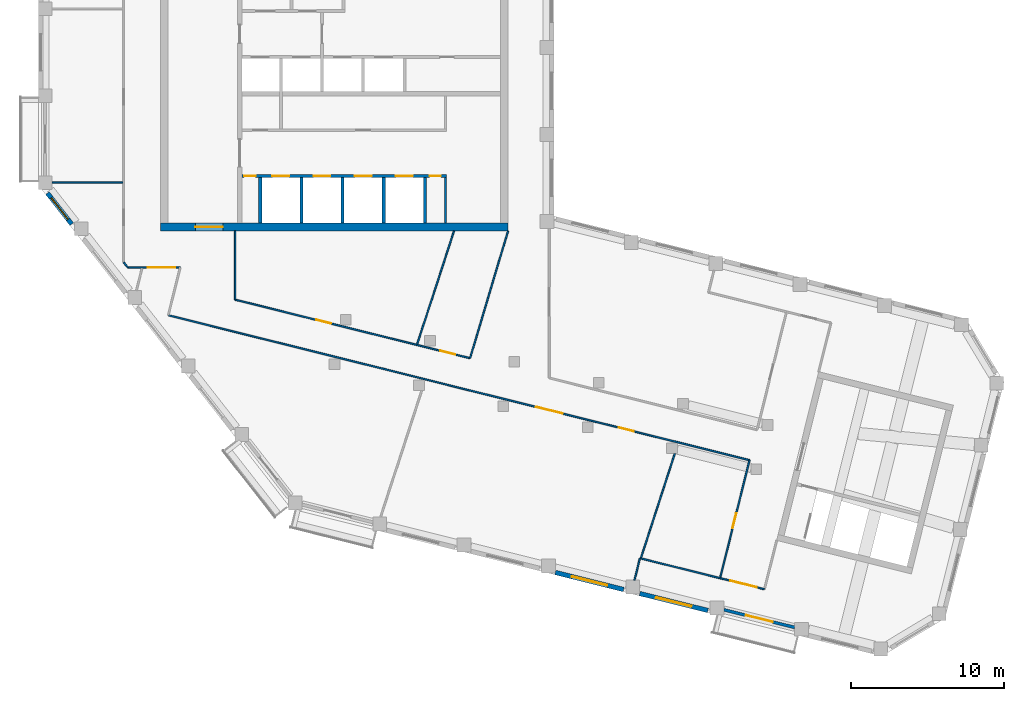
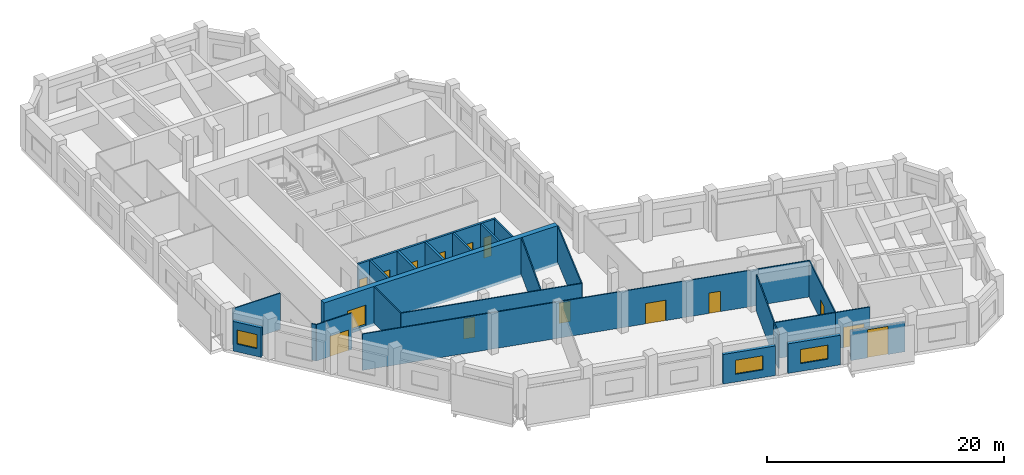
# One storey, part 3 of 8: 25 walls, 15 doors, 3 windows, 18 openings.
"""IFC4 building model written with IfcOpenShell, lengths in metres."""

from ifc_helpers import new_model, si_unit, direction, frame, frame_2d, origin, place, context, subcontext, project, spatial, rectangle, extrude, material, layer, layer_set, type_object, element, fill, save


model = new_model("IFC4")

# Units and contexts
model_context = context("Model", 3, precision=1e-05, world=origin(), true_north=direction((0.0, 1.0)))
body_context = subcontext(model_context, "Body", "Model", "MODEL_VIEW")
ifc_project = project(units=[si_unit("LENGTHUNIT", "METRE"), si_unit("AREAUNIT", "SQUARE_METRE"), si_unit("VOLUMEUNIT", "CUBIC_METRE"), si_unit("PLANEANGLEUNIT", "RADIAN"), si_unit("MASSUNIT", "GRAM", prefix="KILO")], contexts=[model_context])

# Site, building, storey
site_placement = place(None, origin())
site = spatial("IfcSite", under=ifc_project, at=site_placement, CompositionType="ELEMENT")
building_placement = place(site_placement, origin())
building = spatial("IfcBuilding", under=site, at=building_placement, Name="Meshkara Civic Tower", CompositionType="ELEMENT")
storey_placement = place(building_placement, frame((0.0, 0.0, 396.0)))
storey = spatial("IfcBuildingStorey", under=building, at=storey_placement, Name="L91", CompositionType="ELEMENT", Elevation=396.0)

# Wall
ifc_material_1 = material(Name="Blockwork", Category="masonry")
ifc_layer_1 = layer(ifc_material_1, 0.14990234375)
ifc_layer_set_1 = layer_set([ifc_layer_1], Name="Core partition 150")
wall_type_1 = type_object("IfcWallType", Name="Core partition 150", PredefinedType="PARTITIONING", material=ifc_layer_set_1)
wall_1_placement = place(storey_placement, frame((26.699951171875, 14.60009765625, 0.0), z_axis=(0.0, 0.0, 1.0), x_axis=(0.0, 1.0, 0.0)))
element("IfcWall", 1, at=wall_1_placement, inside=storey, type_object=wall_type_1, Name="L91-C025", PredefinedType="PARTITIONING", context=body_context, shape_type="SweptSolid", body=[
    extrude(rectangle(XDim=3.0, YDim=0.14990234375, at=frame_2d((1.5, 0.0))), origin(), (0.0, 0.0, 1.0), 3.75),
])

# Wall, opening, door
ifc_material_2 = material(Name="Concrete C50", Category="concrete")
ifc_layer_2 = layer(ifc_material_2, 0.5)
ifc_layer_set_2 = layer_set([ifc_layer_2], Name="Core ring wall 500 C50")
wall_type_2 = type_object("IfcWallType", Name="Core ring wall 500 C50", PredefinedType="SHEAR", material=ifc_layer_set_2)
wall_2_placement = place(storey_placement, frame((8.0, 14.35009765625, -0.300048828125), z_axis=(0.0, 0.0, 1.0), x_axis=(1.0, 0.0, 0.0)))
wall_2 = element("IfcWall", 2, at=wall_2_placement, inside=storey, type_object=wall_type_2, Name="L91-C001", PredefinedType="SHEAR", context=body_context, shape_type="SweptSolid", body=[
    extrude(rectangle(XDim=22.800048828125, YDim=0.5, at=frame_2d((11.39990234375, 0.0))), origin(), (0.0, 0.0, 1.0), 4.050048828125),
])
opening_1_placement = place(wall_2_placement, frame((2.300048828125, 0.0, 0.300048828125)))
opening_1 = element("IfcOpeningElement", 3, at=opening_1_placement, cuts=wall_2, Name="Opening L91-K023", PredefinedType="OPENING", context=body_context, shape_type="SweptSolid", body=[
    extrude(rectangle(XDim=1.800048828125, YDim=2.10009765625, at=frame_2d((0.89990234375, 1.050048828125))), frame((0.0, 0.260009765625, 0.0), z_axis=(0.0, -1.0, 0.0), x_axis=(1.0, 0.0, 0.0)), (0.0, 0.0, 1.0), 0.52001953125),
])
ifc_material_3 = material(Name="Fire-rated door leaf in steel frame", Category="steel")
door_type_1 = type_object("IfcDoorType", Name="Core double door 1800 EI 60", OperationType="DOUBLE_DOOR_SINGLE_SWING", PredefinedType="DOOR", material=ifc_material_3)
door_1_placement = place(opening_1_placement, origin())
door_1 = element("IfcDoor", 4, at=door_1_placement, inside=storey, type_object=door_type_1, Name="L91-K023", OperationType="DOUBLE_DOOR_SINGLE_SWING", OverallHeight=2.10009765625, OverallWidth=1.800048828125, PredefinedType="DOOR", context=body_context, shape_type="SweptSolid", body=[
    extrude(rectangle(XDim=1.800048828125, YDim=2.10009765625, at=frame_2d((0.89990234375, 1.050048828125))), frame((0.0, 0.02490234375, 0.0), z_axis=(0.0, -1.0, 0.0), x_axis=(1.0, 0.0, 0.0)), (0.0, 0.0, 1.0), 0.050048828125),
])
fill(opening_1, door_1)

# Wall
ifc_material_4 = material(Name="Corridor wall 100")
ifc_layer_3 = layer(ifc_material_4, 0.10009765625)
ifc_layer_set_3 = layer_set([ifc_layer_3], Name="Corridor wall 100")
wall_type_3 = type_object("IfcWallType", Name="Corridor wall 100", PredefinedType="PARTITIONING", material=ifc_layer_set_3)
wall_3_placement = place(storey_placement, frame((5.60009765625, 12.0439453125, 0.0), z_axis=(0.0, 0.0, 1.0), x_axis=(0.614328236968, -0.789050579661, 0.0)))
element("IfcWall", 5, at=wall_3_placement, inside=storey, type_object=wall_type_3, Name="L91-W003", PredefinedType="PARTITIONING", context=body_context, shape_type="SweptSolid", body=[
    extrude(rectangle(XDim=0.43603515625, YDim=0.10009765625, at=frame_2d((0.218017578125, 0.0))), origin(), (0.0, 0.0, 1.0), 3.75),
])

# Wall, opening, door
wall_4_placement = place(storey_placement, frame((5.867919921875, 11.699951171875, 0.0), z_axis=(0.0, 0.0, 1.0), x_axis=(1.0, 0.0, 0.0)))
wall_4 = element("IfcWall", 6, at=wall_4_placement, inside=storey, type_object=wall_type_3, Name="L91-W006", PredefinedType="PARTITIONING", context=body_context, shape_type="SweptSolid", body=[
    extrude(rectangle(XDim=3.43310546875, YDim=0.10009765625, at=frame_2d((1.716552734375, 0.0))), origin(), (0.0, 0.0, 1.0), 3.75),
])
opening_2_placement = place(wall_4_placement, frame((1.30908203125, 0.0, 0.0)))
opening_2 = element("IfcOpeningElement", 7, at=opening_2_placement, cuts=wall_4, Name="Opening L91-D006", PredefinedType="OPENING", context=body_context, shape_type="SweptSolid", body=[
    extrude(rectangle(XDim=1.800048828125, YDim=2.10009765625, at=frame_2d((0.89990234375, 1.050048828125))), frame((0.0, 0.06005859375, 0.0), z_axis=(0.0, -1.0, 0.0), x_axis=(1.0, 0.0, 0.0)), (0.0, 0.0, 1.0), 0.1201171875),
])
ifc_material_5 = material(Name="Door pair 1800 x 2100")
door_type_2 = type_object("IfcDoorType", Name="Door pair 1800 x 2100", OperationType="SINGLE_SWING_LEFT", PredefinedType="DOOR", material=ifc_material_5)
door_2_placement = place(opening_2_placement, origin())
door_2 = element("IfcDoor", 8, at=door_2_placement, inside=storey, type_object=door_type_2, Name="L91-D006", OperationType="DOUBLE_DOOR_SINGLE_SWING", OverallHeight=2.10009765625, OverallWidth=1.800048828125, PredefinedType="DOOR", context=body_context, shape_type="SweptSolid", body=[
    extrude(rectangle(XDim=1.800048828125, YDim=2.10009765625, at=frame_2d((0.89990234375, 1.050048828125))), frame((0.0, 0.02490234375, 0.0), z_axis=(0.0, -1.0, 0.0), x_axis=(1.0, 0.0, 0.0)), (0.0, 0.0, 1.0), 0.050048828125),
])
fill(opening_2, door_2)

# Wall, openings, doors
wall_5_placement = place(storey_placement, frame((8.52099609375, 8.56689453125, 0.0), z_axis=(0.0, 0.0, 1.0), x_axis=(0.970298072542, -0.241912485047, 0.0)))
wall_5 = element("IfcWall", 9, at=wall_5_placement, inside=storey, type_object=wall_type_3, Name="L91-W007", PredefinedType="PARTITIONING", context=body_context, shape_type="SweptSolid", body=[
    extrude(rectangle(XDim=39.2744140625, YDim=0.10009765625, at=frame_2d((19.63720703125, 0.0))), origin(), (0.0, 0.0, 1.0), 3.75),
])
opening_3_placement = place(wall_5_placement, frame((24.847900390625, 0.0, 0.0)))
opening_3 = element("IfcOpeningElement", 10, at=opening_3_placement, cuts=wall_5, Name="Opening L91-D003", PredefinedType="OPENING", context=body_context, shape_type="SweptSolid", body=[
    extrude(rectangle(XDim=1.800048828125, YDim=2.10009765625, at=frame_2d((0.89990234375, 1.050048828125))), frame((0.0, 0.06005859375, 0.0), z_axis=(0.0, -1.0, 0.0), x_axis=(1.0, 0.0, 0.0)), (0.0, 0.0, 1.0), 0.1201171875),
])
opening_4_placement = place(wall_5_placement, frame((30.447998046875, 0.0, 0.0)))
opening_4 = element("IfcOpeningElement", 11, at=opening_4_placement, cuts=wall_5, Name="Opening L91-D004", PredefinedType="OPENING", context=body_context, shape_type="SweptSolid", body=[
    extrude(rectangle(XDim=1.0, YDim=2.10009765625, at=frame_2d((0.5, 1.050048828125))), frame((0.0, 0.06005859375, 0.0), z_axis=(0.0, -1.0, 0.0), x_axis=(1.0, 0.0, 0.0)), (0.0, 0.0, 1.0), 0.1201171875),
])
ifc_material_6 = material(Name="Door 1000 x 2100")
door_type_3 = type_object("IfcDoorType", Name="Door 1000 x 2100", OperationType="SINGLE_SWING_LEFT", PredefinedType="DOOR", material=ifc_material_6)
door_3_placement = place(opening_4_placement, origin())
door_3 = element("IfcDoor", 12, at=door_3_placement, inside=storey, type_object=door_type_3, Name="L91-D004", OperationType="SINGLE_SWING_LEFT", OverallHeight=2.10009765625, OverallWidth=1.0, PredefinedType="DOOR", context=body_context, shape_type="SweptSolid", body=[
    extrude(rectangle(XDim=1.0, YDim=2.10009765625, at=frame_2d((0.5, 1.050048828125))), frame((0.0, 0.02490234375, 0.0), z_axis=(0.0, -1.0, 0.0), x_axis=(1.0, 0.0, 0.0)), (0.0, 0.0, 1.0), 0.050048828125),
])
fill(opening_4, door_3)
door_4_placement = place(opening_3_placement, origin())
door_4 = element("IfcDoor", 13, at=door_4_placement, inside=storey, type_object=door_type_2, Name="L91-D003", OperationType="DOUBLE_DOOR_SINGLE_SWING", OverallHeight=2.10009765625, OverallWidth=1.800048828125, PredefinedType="DOOR", context=body_context, shape_type="SweptSolid", body=[
    extrude(rectangle(XDim=1.800048828125, YDim=2.10009765625, at=frame_2d((0.89990234375, 1.050048828125))), frame((0.0, 0.02490234375, 0.0), z_axis=(0.0, -1.0, 0.0), x_axis=(1.0, 0.0, 0.0)), (0.0, 0.0, 1.0), 0.050048828125),
])
fill(opening_3, door_4)

wall_6_placement = place(storey_placement, frame((12.89990234375, 9.590087890625, 0.0), z_axis=(0.0, 0.0, 1.0), x_axis=(0.970296971371, -0.241916901741, 0.0)))
wall_6 = element("IfcWall", 14, at=wall_6_placement, inside=storey, type_object=wall_type_3, Name="L91-W009", PredefinedType="PARTITIONING", context=body_context, shape_type="SweptSolid", body=[
    extrude(rectangle(XDim=15.877685546875, YDim=0.10009765625, at=frame_2d((7.93896484375, 0.0))), origin(), (0.0, 0.0, 1.0), 3.75),
])
opening_5_placement = place(wall_6_placement, frame((5.47998046875, 0.0, 0.0)))
opening_5 = element("IfcOpeningElement", 15, at=opening_5_placement, cuts=wall_6, Name="Opening L91-D007", PredefinedType="OPENING", context=body_context, shape_type="SweptSolid", body=[
    extrude(rectangle(XDim=1.0, YDim=2.10009765625, at=frame_2d((0.5, 1.050048828125))), frame((0.0, 0.06005859375, 0.0), z_axis=(0.0, -1.0, 0.0), x_axis=(1.0, 0.0, 0.0)), (0.0, 0.0, 1.0), 0.1201171875),
])
opening_6_placement = place(wall_6_placement, frame((13.868896484375, 0.0, 0.0)))
opening_6 = element("IfcOpeningElement", 16, at=opening_6_placement, cuts=wall_6, Name="Opening L91-D008", PredefinedType="OPENING", context=body_context, shape_type="SweptSolid", body=[
    extrude(rectangle(XDim=1.0, YDim=2.10009765625, at=frame_2d((0.5, 1.050048828125))), frame((0.0, 0.06005859375, 0.0), z_axis=(0.0, -1.0, 0.0), x_axis=(1.0, 0.0, 0.0)), (0.0, 0.0, 1.0), 0.1201171875),
])
door_5_placement = place(opening_5_placement, origin())
door_5 = element("IfcDoor", 17, at=door_5_placement, inside=storey, type_object=door_type_3, Name="L91-D007", OperationType="SINGLE_SWING_LEFT", OverallHeight=2.10009765625, OverallWidth=1.0, PredefinedType="DOOR", context=body_context, shape_type="SweptSolid", body=[
    extrude(rectangle(XDim=1.0, YDim=2.10009765625, at=frame_2d((0.5, 1.050048828125))), frame((0.0, 0.02490234375, 0.0), z_axis=(0.0, -1.0, 0.0), x_axis=(1.0, 0.0, 0.0)), (0.0, 0.0, 1.0), 0.050048828125),
])
fill(opening_5, door_5)
door_6_placement = place(opening_6_placement, origin())
door_6 = element("IfcDoor", 18, at=door_6_placement, inside=storey, type_object=door_type_3, Name="L91-D008", OperationType="SINGLE_SWING_RIGHT", OverallHeight=2.10009765625, OverallWidth=1.0, PredefinedType="DOOR", context=body_context, shape_type="SweptSolid", body=[
    extrude(rectangle(XDim=1.0, YDim=2.10009765625, at=frame_2d((0.5, 1.050048828125))), frame((0.0, 0.02490234375, 0.0), z_axis=(0.0, -1.0, 0.0), x_axis=(1.0, 0.0, 0.0)), (0.0, 0.0, 1.0), 0.050048828125),
])
fill(opening_6, door_6)

# Walls
wall_7_placement = place(storey_placement, frame((12.89990234375, 9.590087890625, 0.0), z_axis=(0.0, 0.0, 1.0), x_axis=(0.0, 1.0, 0.0)))
element("IfcWall", 19, at=wall_7_placement, inside=storey, type_object=wall_type_3, Name="L91-W010", PredefinedType="PARTITIONING", context=body_context, shape_type="SweptSolid", body=[
    extrude(rectangle(XDim=4.510009765625, YDim=0.10009765625, at=frame_2d((2.2548828125, 0.0))), origin(), (0.0, 0.0, 1.0), 3.75),
])
wall_8_placement = place(storey_placement, frame((30.800048828125, 14.10009765625, 0.0), z_axis=(0.0, 0.0, 1.0), x_axis=(-0.286170650389, -0.958178667502, 0.0)))
element("IfcWall", 20, at=wall_8_placement, inside=storey, type_object=wall_type_3, Name="L91-W013", PredefinedType="PARTITIONING", context=body_context, shape_type="SweptSolid", body=[
    extrude(rectangle(XDim=8.715576171875, YDim=0.10009765625, at=frame_2d((4.35791015625, 0.0))), origin(), (0.0, 0.0, 1.0), 3.75),
])

# Wall, opening, door
wall_9_placement = place(storey_placement, frame((44.699951171875, -8.6708984375, 0.0), z_axis=(0.0, 0.0, 1.0), x_axis=(0.970276376031, -0.241999491975, 0.0)))
wall_9 = element("IfcWall", 21, at=wall_9_placement, inside=storey, type_object=wall_type_3, Name="L91-W016", PredefinedType="PARTITIONING", context=body_context, shape_type="SweptSolid", body=[
    extrude(rectangle(XDim=3.000244140625, YDim=0.10009765625, at=frame_2d((1.5, 0.0))), origin(), (0.0, 0.0, 1.0), 3.75),
])
opening_7_placement = place(wall_9_placement, frame((0.679931640625, 0.0, 0.0)))
opening_7 = element("IfcOpeningElement", 22, at=opening_7_placement, cuts=wall_9, Name="Opening L91-D001", PredefinedType="OPENING", context=body_context, shape_type="SweptSolid", body=[
    extrude(rectangle(XDim=1.800048828125, YDim=2.10009765625, at=frame_2d((0.89990234375, 1.050048828125))), frame((0.0, 0.06005859375, 0.0), z_axis=(0.0, -1.0, 0.0), x_axis=(1.0, 0.0, 0.0)), (0.0, 0.0, 1.0), 0.1201171875),
])
door_7_placement = place(opening_7_placement, origin())
door_7 = element("IfcDoor", 23, at=door_7_placement, inside=storey, type_object=door_type_2, Name="L91-D001", OperationType="DOUBLE_DOOR_SINGLE_SWING", OverallHeight=2.10009765625, OverallWidth=1.800048828125, PredefinedType="DOOR", context=body_context, shape_type="SweptSolid", body=[
    extrude(rectangle(XDim=1.800048828125, YDim=2.10009765625, at=frame_2d((0.89990234375, 1.050048828125))), frame((0.0, 0.02490234375, 0.0), z_axis=(0.0, -1.0, 0.0), x_axis=(1.0, 0.0, 0.0)), (0.0, 0.0, 1.0), 0.050048828125),
])
fill(opening_7, door_7)

wall_10_placement = place(storey_placement, frame((46.62890625, -0.93408203125, 0.0), z_axis=(0.0, 0.0, 1.0), x_axis=(-0.241916003183, -0.970297195401, 0.0)))
wall_10 = element("IfcWall", 24, at=wall_10_placement, inside=storey, type_object=wall_type_3, Name="L91-W017", PredefinedType="PARTITIONING", context=body_context, shape_type="SweptSolid", body=[
    extrude(rectangle(XDim=7.9736328125, YDim=0.10009765625, at=frame_2d((3.98681640625, 0.0))), origin(), (0.0, 0.0, 1.0), 3.75),
])
opening_8_placement = place(wall_10_placement, frame((3.580078125, 0.0, 0.0)))
opening_8 = element("IfcOpeningElement", 25, at=opening_8_placement, cuts=wall_10, Name="Opening L91-D002", PredefinedType="OPENING", context=body_context, shape_type="SweptSolid", body=[
    extrude(rectangle(XDim=1.0, YDim=2.10009765625, at=frame_2d((0.5, 1.050048828125))), frame((0.0, 0.06005859375, 0.0), z_axis=(0.0, -1.0, 0.0), x_axis=(1.0, 0.0, 0.0)), (0.0, 0.0, 1.0), 0.1201171875),
])
door_8_placement = place(opening_8_placement, origin())
door_8 = element("IfcDoor", 26, at=door_8_placement, inside=storey, type_object=door_type_3, Name="L91-D002", OperationType="SINGLE_SWING_LEFT", OverallHeight=2.10009765625, OverallWidth=1.0, PredefinedType="DOOR", context=body_context, shape_type="SweptSolid", body=[
    extrude(rectangle(XDim=1.0, YDim=2.10009765625, at=frame_2d((0.5, 1.050048828125))), frame((0.0, 0.02490234375, 0.0), z_axis=(0.0, -1.0, 0.0), x_axis=(1.0, 0.0, 0.0)), (0.0, 0.0, 1.0), 0.050048828125),
])
fill(opening_8, door_8)

# Wall, opening, window
ifc_material_7 = material(Name="Insulated infill panel with bronze anodised aluminium cladding", Category="aluminium")
ifc_layer_4 = layer(ifc_material_7, 0.300048828125)
ifc_layer_set_4 = layer_set([ifc_layer_4], Name="EXTERNAL INFILL WALL 300")
wall_type_4 = type_object("IfcWallType", Name="EXTERNAL INFILL WALL 300", PredefinedType="SOLIDWALL", material=ifc_layer_set_4)
wall_11_placement = place(storey_placement, frame((0.60205078125, 16.572998046875, 0.0), z_axis=(0.0, 0.0, 1.0), x_axis=(0.61568999437, -0.787988471256, 0.0)))
wall_11 = element("IfcWall", 27, at=wall_11_placement, inside=storey, type_object=wall_type_4, Name="External wall", PredefinedType="SOLIDWALL", context=body_context, shape_type="SweptSolid", body=[
    extrude(rectangle(XDim=2.577392578125, YDim=0.300048828125, at=frame_2d((1.28857421875, 0.0))), origin(), (0.0, 0.0, 1.0), 3.050048828125),
])
opening_9_placement = place(wall_11_placement, frame((0.387939453125, 0.0, 0.800048828125)))
opening_9 = element("IfcOpeningElement", 28, at=opening_9_placement, cuts=wall_11, Name="Opening W10", PredefinedType="OPENING", context=body_context, shape_type="SweptSolid", body=[
    extrude(rectangle(XDim=1.800048828125, YDim=1.449951171875, at=frame_2d((0.89990234375, 0.72509765625))), frame((0.0, 0.159912109375, 0.0), z_axis=(0.0, -1.0, 0.0), x_axis=(1.0, 0.0, 0.0)), (0.0, 0.0, 1.0), 0.320068359375),
])
ifc_material_8 = material(Name="Tinted double glazing", Category="glass")
window_type_1 = type_object("IfcWindowType", Name="WINDOW 1800x1450", PartitioningType="DOUBLE_PANEL_VERTICAL", PredefinedType="WINDOW", material=ifc_material_8)
window_1_placement = place(opening_9_placement, origin())
window_1 = element("IfcWindow", 29, at=window_1_placement, inside=storey, type_object=window_type_1, Name="Window", OverallHeight=1.449951171875, OverallWidth=1.800048828125, PartitioningType="DOUBLE_PANEL_VERTICAL", PredefinedType="WINDOW", context=body_context, shape_type="SweptSolid", body=[
    extrude(rectangle(XDim=1.800048828125, YDim=1.449951171875, at=frame_2d((0.89990234375, 0.72509765625))), frame((0.0, 0.030029296875, 0.0), z_axis=(0.0, -1.0, 0.0), x_axis=(1.0, 0.0, 0.0)), (0.0, 0.0, 1.0), 0.06005859375),
])
fill(opening_9, window_1)

wall_12_placement = place(storey_placement, frame((33.89990234375, -8.298095703125, 0.0), z_axis=(0.0, 0.0, 1.0), x_axis=(0.970298093093, -0.241912402618, 0.0)))
wall_12 = element("IfcWall", 30, at=wall_12_placement, inside=storey, type_object=wall_type_4, Name="External wall", PredefinedType="SOLIDWALL", context=body_context, shape_type="SweptSolid", body=[
    extrude(rectangle(XDim=4.609130859375, YDim=0.300048828125, at=frame_2d((2.3046875, 0.0))), origin(), (0.0, 0.0, 1.0), 3.050048828125),
])
opening_10_placement = place(wall_12_placement, frame((1.10498046875, 0.0, 0.800048828125)))
opening_10 = element("IfcOpeningElement", 31, at=opening_10_placement, cuts=wall_12, Name="Opening W8", PredefinedType="OPENING", context=body_context, shape_type="SweptSolid", body=[
    extrude(rectangle(XDim=2.39990234375, YDim=1.449951171875, at=frame_2d((1.199951171875, 0.72509765625))), frame((0.0, 0.159912109375, 0.0), z_axis=(0.0, -1.0, 0.0), x_axis=(1.0, 0.0, 0.0)), (0.0, 0.0, 1.0), 0.320068359375),
])
ifc_material_9 = material(Name="Tinted double glazing", Category="glass")
window_type_2 = type_object("IfcWindowType", Name="WINDOW 2400x1450", PartitioningType="DOUBLE_PANEL_VERTICAL", PredefinedType="WINDOW", material=ifc_material_9)
window_2_placement = place(opening_10_placement, origin())
window_2 = element("IfcWindow", 32, at=window_2_placement, inside=storey, type_object=window_type_2, Name="Window", OverallHeight=1.449951171875, OverallWidth=2.39990234375, PartitioningType="DOUBLE_PANEL_VERTICAL", PredefinedType="WINDOW", context=body_context, shape_type="SweptSolid", body=[
    extrude(rectangle(XDim=2.39990234375, YDim=1.449951171875, at=frame_2d((1.199951171875, 0.72509765625))), frame((0.0, 0.030029296875, 0.0), z_axis=(0.0, -1.0, 0.0), x_axis=(1.0, 0.0, 0.0)), (0.0, 0.0, 1.0), 0.06005859375),
])
fill(opening_10, window_2)

wall_13_placement = place(storey_placement, frame((39.430908203125, -9.677001953125, 0.0), z_axis=(0.0, 0.0, 1.0), x_axis=(0.970285689791, -0.241962146187, 0.0)))
wall_13 = element("IfcWall", 33, at=wall_13_placement, inside=storey, type_object=wall_type_4, Name="External wall", PredefinedType="SOLIDWALL", context=body_context, shape_type="SweptSolid", body=[
    extrude(rectangle(XDim=4.608154296875, YDim=0.300048828125, at=frame_2d((2.30419921875, 0.0))), origin(), (0.0, 0.0, 1.0), 3.050048828125),
])
opening_11_placement = place(wall_13_placement, frame((1.10400390625, 0.0, 0.800048828125)))
opening_11 = element("IfcOpeningElement", 34, at=opening_11_placement, cuts=wall_13, Name="Opening W8", PredefinedType="OPENING", context=body_context, shape_type="SweptSolid", body=[
    extrude(rectangle(XDim=2.39990234375, YDim=1.449951171875, at=frame_2d((1.199951171875, 0.72509765625))), frame((0.0, 0.159912109375, 0.0), z_axis=(0.0, -1.0, 0.0), x_axis=(1.0, 0.0, 0.0)), (0.0, 0.0, 1.0), 0.320068359375),
])
window_3_placement = place(opening_11_placement, origin())
window_3 = element("IfcWindow", 35, at=window_3_placement, inside=storey, type_object=window_type_2, Name="Window", OverallHeight=1.449951171875, OverallWidth=2.39990234375, PartitioningType="DOUBLE_PANEL_VERTICAL", PredefinedType="WINDOW", context=body_context, shape_type="SweptSolid", body=[
    extrude(rectangle(XDim=2.39990234375, YDim=1.449951171875, at=frame_2d((1.199951171875, 0.72509765625))), frame((0.0, 0.030029296875, 0.0), z_axis=(0.0, -1.0, 0.0), x_axis=(1.0, 0.0, 0.0)), (0.0, 0.0, 1.0), 0.06005859375),
])
fill(opening_11, window_3)

# Wall, opening, door
ifc_material_10 = material(Name="Insulated infill panel with bronze anodised aluminium cladding", Category="aluminium")
ifc_layer_5 = layer(ifc_material_10, 0.199951171875)
ifc_layer_set_5 = layer_set([ifc_layer_5], Name="LOGGIA BACK WALL 200")
wall_type_5 = type_object("IfcWallType", Name="LOGGIA BACK WALL 200", PredefinedType="SOLIDWALL", material=ifc_layer_set_5)
wall_14_placement = place(storey_placement, frame((44.9541015625, -10.7451171875, 0.0), z_axis=(0.0, 0.0, 1.0), x_axis=(0.970334783127, -0.241765193223, 0.0)))
wall_14 = element("IfcWall", 36, at=wall_14_placement, inside=storey, type_object=wall_type_5, Name="Loggia wall", PredefinedType="SOLIDWALL", context=body_context, shape_type="SweptSolid", body=[
    extrude(rectangle(XDim=4.7724609375, YDim=0.199951171875, at=frame_2d((2.38623046875, 0.0))), origin(), (0.0, 0.0, 1.0), 3.050048828125),
])
opening_12_placement = place(wall_14_placement, frame((1.486083984375, 0.0, 0.0)))
opening_12 = element("IfcOpeningElement", 37, at=opening_12_placement, cuts=wall_14, Name="Opening L91-L004", PredefinedType="OPENING", context=body_context, shape_type="SweptSolid", body=[
    extrude(rectangle(XDim=1.800048828125, YDim=2.89990234375, at=frame_2d((0.89990234375, 1.449951171875))), frame((0.0, 0.10986328125, 0.0), z_axis=(0.0, -1.0, 0.0), x_axis=(1.0, 0.0, 0.0)), (0.0, 0.0, 1.0), 0.219970703125),
])
ifc_material_11 = material(Name="Tinted double glazing", Category="glass")
door_type_4 = type_object("IfcDoorType", Name="LOGGIA DOOR 1800x2900", OperationType="DOUBLE_DOOR_SINGLE_SWING", PredefinedType="DOOR", material=ifc_material_11)
door_9_placement = place(opening_12_placement, origin())
door_9 = element("IfcDoor", 38, at=door_9_placement, inside=storey, type_object=door_type_4, Name="L91-L004", OperationType="DOUBLE_DOOR_SINGLE_SWING", OverallHeight=2.89990234375, OverallWidth=1.800048828125, PredefinedType="DOOR", context=body_context, shape_type="SweptSolid", body=[
    extrude(rectangle(XDim=1.800048828125, YDim=2.89990234375, at=frame_2d((0.89990234375, 1.449951171875))), frame((0.0, 0.02490234375, 0.0), z_axis=(0.0, -1.0, 0.0), x_axis=(1.0, 0.0, 0.0)), (0.0, 0.0, 1.0), 0.050048828125),
])
fill(opening_12, door_9)

# Walls
ifc_material_12 = material(Name="Partition 100")
ifc_layer_6 = layer(ifc_material_12, 0.10009765625)
ifc_layer_set_6 = layer_set([ifc_layer_6], Name="Partition 100")
wall_type_6 = type_object("IfcWallType", Name="Partition 100", PredefinedType="PARTITIONING", material=ifc_layer_set_6)
wall_15_placement = place(storey_placement, frame((5.550048828125, 17.2548828125, 0.0), z_axis=(0.0, 0.0, 1.0), x_axis=(-1.0, 0.0, 0.0)))
element("IfcWall", 39, at=wall_15_placement, inside=storey, type_object=wall_type_6, Name="L91-W025", PredefinedType="PARTITIONING", context=body_context, shape_type="SweptSolid", body=[
    extrude(rectangle(XDim=4.650146484375, YDim=0.10009765625, at=frame_2d((2.3251953125, 0.0))), origin(), (0.0, 0.0, 1.0), 3.75),
])
wall_16_placement = place(storey_placement, frame((24.841064453125, 6.66796875, 0.0), z_axis=(0.0, 0.0, 1.0), x_axis=(0.308898149954, 0.951095122979, 0.0)))
element("IfcWall", 40, at=wall_16_placement, inside=storey, type_object=wall_type_6, Name="L91-W029", PredefinedType="PARTITIONING", context=body_context, shape_type="SweptSolid", body=[
    extrude(rectangle(XDim=7.814208984375, YDim=0.10009765625, at=frame_2d((3.9072265625, 0.0))), origin(), (0.0, 0.0, 1.0), 3.75),
])
wall_17_placement = place(storey_placement, frame((39.0859375, -8.803955078125, 0.0), z_axis=(0.0, 0.0, 1.0), x_axis=(0.24214932573, 0.970238993263, 0.0)))
element("IfcWall", 41, at=wall_17_placement, inside=storey, type_object=wall_type_6, Name="L91-W030", PredefinedType="PARTITIONING", context=body_context, shape_type="SweptSolid", body=[
    extrude(rectangle(XDim=1.487060546875, YDim=0.10009765625, at=frame_2d((0.74365234375, 0.0))), origin(), (0.0, 0.0, 1.0), 3.75),
])
wall_18_placement = place(storey_placement, frame((39.50390625, -7.3759765625, 0.0), z_axis=(0.0, 0.0, 1.0), x_axis=(0.970313757414, -0.24184956517, 0.0)))
element("IfcWall", 42, at=wall_18_placement, inside=storey, type_object=wall_type_6, Name="L91-W031", PredefinedType="PARTITIONING", context=body_context, shape_type="SweptSolid", body=[
    extrude(rectangle(XDim=5.359375, YDim=0.10009765625, at=frame_2d((2.6796875, 0.0))), origin(), (0.0, 0.0, 1.0), 3.75),
])
wall_19_placement = place(storey_placement, frame((39.5, -7.3740234375, 0.0), z_axis=(0.0, 0.0, 1.0), x_axis=(0.309068490073, 0.951039782787, 0.0)))
element("IfcWall", 43, at=wall_19_placement, inside=storey, type_object=wall_type_6, Name="L91-W032", PredefinedType="PARTITIONING", context=body_context, shape_type="SweptSolid", body=[
    extrude(rectangle(XDim=7.221435546875, YDim=0.10009765625, at=frame_2d((3.61083984375, 0.0))), origin(), (0.0, 0.0, 1.0), 3.75),
])

# Wall, openings, doors
ifc_material_13 = material(Name="Concrete C40/50", Category="concrete")
ifc_layer_7 = layer(ifc_material_13, 0.199951171875)
ifc_layer_set_7 = layer_set([ifc_layer_7], Name="Shaft wall 200 C40/50")
wall_type_7 = type_object("IfcWallType", Name="Shaft wall 200 C40/50", PredefinedType="SOLIDWALL", material=ifc_layer_set_7)
wall_20_placement = place(storey_placement, frame((13.35009765625, 17.699951171875, 0.0), z_axis=(0.0, 0.0, 1.0), x_axis=(1.0, 0.0, 0.0)))
wall_20 = element("IfcWall", 44, at=wall_20_placement, inside=storey, type_object=wall_type_7, Name="L91-C005", PredefinedType="SOLIDWALL", context=body_context, shape_type="SweptSolid", body=[
    extrude(rectangle(XDim=13.4248046875, YDim=0.199951171875, at=frame_2d((6.71240234375, 0.0))), origin(), (0.0, 0.0, 1.0), 3.75),
])
opening_13_placement = place(wall_20_placement, frame((2.0, 0.0, 0.0)))
opening_13 = element("IfcOpeningElement", 45, at=opening_13_placement, cuts=wall_20, Name="Opening L91-K001", PredefinedType="OPENING", context=body_context, shape_type="SweptSolid", body=[
    extrude(rectangle(XDim=1.10009765625, YDim=2.10009765625, at=frame_2d((0.550048828125, 1.050048828125))), frame((0.0, 0.10986328125, 0.0), z_axis=(0.0, -1.0, 0.0), x_axis=(1.0, 0.0, 0.0)), (0.0, 0.0, 1.0), 0.219970703125),
])
opening_14_placement = place(wall_20_placement, frame((4.699951171875, 0.0, 0.0)))
opening_14 = element("IfcOpeningElement", 46, at=opening_14_placement, cuts=wall_20, Name="Opening L91-K002", PredefinedType="OPENING", context=body_context, shape_type="SweptSolid", body=[
    extrude(rectangle(XDim=1.10009765625, YDim=2.10009765625, at=frame_2d((0.550048828125, 1.050048828125))), frame((0.0, 0.10986328125, 0.0), z_axis=(0.0, -1.0, 0.0), x_axis=(1.0, 0.0, 0.0)), (0.0, 0.0, 1.0), 0.219970703125),
])
opening_15_placement = place(wall_20_placement, frame((7.39990234375, 0.0, 0.0)))
opening_15 = element("IfcOpeningElement", 47, at=opening_15_placement, cuts=wall_20, Name="Opening L91-K003", PredefinedType="OPENING", context=body_context, shape_type="SweptSolid", body=[
    extrude(rectangle(XDim=1.10009765625, YDim=2.10009765625, at=frame_2d((0.550048828125, 1.050048828125))), frame((0.0, 0.10986328125, 0.0), z_axis=(0.0, -1.0, 0.0), x_axis=(1.0, 0.0, 0.0)), (0.0, 0.0, 1.0), 0.219970703125),
])
opening_16_placement = place(wall_20_placement, frame((10.10009765625, 0.0, 0.0)))
opening_16 = element("IfcOpeningElement", 48, at=opening_16_placement, cuts=wall_20, Name="Opening L91-K004", PredefinedType="OPENING", context=body_context, shape_type="SweptSolid", body=[
    extrude(rectangle(XDim=1.10009765625, YDim=2.10009765625, at=frame_2d((0.550048828125, 1.050048828125))), frame((0.0, 0.10986328125, 0.0), z_axis=(0.0, -1.0, 0.0), x_axis=(1.0, 0.0, 0.0)), (0.0, 0.0, 1.0), 0.219970703125),
])
opening_17_placement = place(wall_20_placement, frame((0.14990234375, 0.0, 0.0)))
opening_17 = element("IfcOpeningElement", 49, at=opening_17_placement, cuts=wall_20, Name="Opening L91-K009", PredefinedType="OPENING", context=body_context, shape_type="SweptSolid", body=[
    extrude(rectangle(XDim=0.75, YDim=2.10009765625, at=frame_2d((0.375, 1.050048828125))), frame((0.0, 0.10986328125, 0.0), z_axis=(0.0, -1.0, 0.0), x_axis=(1.0, 0.0, 0.0)), (0.0, 0.0, 1.0), 0.219970703125),
])
opening_18_placement = place(wall_20_placement, frame((12.300048828125, 0.0, 0.0)))
opening_18 = element("IfcOpeningElement", 50, at=opening_18_placement, cuts=wall_20, Name="Opening L91-K010", PredefinedType="OPENING", context=body_context, shape_type="SweptSolid", body=[
    extrude(rectangle(XDim=0.75, YDim=2.10009765625, at=frame_2d((0.375, 1.050048828125))), frame((0.0, 0.10986328125, 0.0), z_axis=(0.0, -1.0, 0.0), x_axis=(1.0, 0.0, 0.0)), (0.0, 0.0, 1.0), 0.219970703125),
])
ifc_material_14 = material(Name="Timber door leaf in steel frame", Category="steel")
door_type_5 = type_object("IfcDoorType", Name="Core room door 750", OperationType="SINGLE_SWING_LEFT", PredefinedType="DOOR", material=ifc_material_14)
door_10_placement = place(opening_17_placement, origin())
door_10 = element("IfcDoor", 51, at=door_10_placement, inside=storey, type_object=door_type_5, Name="L91-K009", OperationType="SINGLE_SWING_RIGHT", OverallHeight=2.10009765625, OverallWidth=0.75, PredefinedType="DOOR", context=body_context, shape_type="SweptSolid", body=[
    extrude(rectangle(XDim=0.75, YDim=2.10009765625, at=frame_2d((0.375, 1.050048828125))), frame((0.0, 0.02490234375, 0.0), z_axis=(0.0, -1.0, 0.0), x_axis=(1.0, 0.0, 0.0)), (0.0, 0.0, 1.0), 0.050048828125),
])
fill(opening_17, door_10)
door_11_placement = place(opening_18_placement, origin())
door_11 = element("IfcDoor", 52, at=door_11_placement, inside=storey, type_object=door_type_5, Name="L91-K010", OperationType="SINGLE_SWING_RIGHT", OverallHeight=2.10009765625, OverallWidth=0.75, PredefinedType="DOOR", context=body_context, shape_type="SweptSolid", body=[
    extrude(rectangle(XDim=0.75, YDim=2.10009765625, at=frame_2d((0.375, 1.050048828125))), frame((0.0, 0.02490234375, 0.0), z_axis=(0.0, -1.0, 0.0), x_axis=(1.0, 0.0, 0.0)), (0.0, 0.0, 1.0), 0.050048828125),
])
fill(opening_18, door_11)
ifc_material_15 = material(Name="Stainless steel landing door", Category="steel")
door_type_6 = type_object("IfcDoorType", Name="Lift landing door 1100", OperationType="SLIDING_TO_LEFT", PredefinedType="DOOR", material=ifc_material_15)
door_12_placement = place(opening_13_placement, origin())
door_12 = element("IfcDoor", 53, at=door_12_placement, inside=storey, type_object=door_type_6, Name="L91-K001", OperationType="SLIDING_TO_LEFT", OverallHeight=2.10009765625, OverallWidth=1.10009765625, PredefinedType="DOOR", context=body_context, shape_type="SweptSolid", body=[
    extrude(rectangle(XDim=1.10009765625, YDim=2.10009765625, at=frame_2d((0.550048828125, 1.050048828125))), frame((0.0, 0.02490234375, 0.0), z_axis=(0.0, -1.0, 0.0), x_axis=(1.0, 0.0, 0.0)), (0.0, 0.0, 1.0), 0.050048828125),
])
fill(opening_13, door_12)
door_13_placement = place(opening_14_placement, origin())
door_13 = element("IfcDoor", 54, at=door_13_placement, inside=storey, type_object=door_type_6, Name="L91-K002", OperationType="SLIDING_TO_LEFT", OverallHeight=2.10009765625, OverallWidth=1.10009765625, PredefinedType="DOOR", context=body_context, shape_type="SweptSolid", body=[
    extrude(rectangle(XDim=1.10009765625, YDim=2.10009765625, at=frame_2d((0.550048828125, 1.050048828125))), frame((0.0, 0.02490234375, 0.0), z_axis=(0.0, -1.0, 0.0), x_axis=(1.0, 0.0, 0.0)), (0.0, 0.0, 1.0), 0.050048828125),
])
fill(opening_14, door_13)
door_14_placement = place(opening_15_placement, origin())
door_14 = element("IfcDoor", 55, at=door_14_placement, inside=storey, type_object=door_type_6, Name="L91-K003", OperationType="SLIDING_TO_LEFT", OverallHeight=2.10009765625, OverallWidth=1.10009765625, PredefinedType="DOOR", context=body_context, shape_type="SweptSolid", body=[
    extrude(rectangle(XDim=1.10009765625, YDim=2.10009765625, at=frame_2d((0.550048828125, 1.050048828125))), frame((0.0, 0.02490234375, 0.0), z_axis=(0.0, -1.0, 0.0), x_axis=(1.0, 0.0, 0.0)), (0.0, 0.0, 1.0), 0.050048828125),
])
fill(opening_15, door_14)
door_15_placement = place(opening_16_placement, origin())
door_15 = element("IfcDoor", 56, at=door_15_placement, inside=storey, type_object=door_type_6, Name="L91-K004", OperationType="SLIDING_TO_LEFT", OverallHeight=2.10009765625, OverallWidth=1.10009765625, PredefinedType="DOOR", context=body_context, shape_type="SweptSolid", body=[
    extrude(rectangle(XDim=1.10009765625, YDim=2.10009765625, at=frame_2d((0.550048828125, 1.050048828125))), frame((0.0, 0.02490234375, 0.0), z_axis=(0.0, -1.0, 0.0), x_axis=(1.0, 0.0, 0.0)), (0.0, 0.0, 1.0), 0.050048828125),
])
fill(opening_16, door_15)

# Walls
for number, where, z_axis, x_axis, name in (
    (57, (14.550048828125, 14.60009765625, 0.0), (0.0, 0.0, 1.0), (0.0, 1.0, 0.0), "L91-C012"),
    (58, (17.25, 14.60009765625, 0.0), (0.0, 0.0, 1.0), (0.0, 1.0, 0.0), "L91-C015"),
    (59, (19.949951171875, 14.60009765625, 0.0), (0.0, 0.0, 1.0), (0.0, 1.0, 0.0), "L91-C017"),
    (60, (22.64990234375, 14.60009765625, 0.0), (0.0, 0.0, 1.0), (0.0, 1.0, 0.0), "L91-C021"),
    (61, (25.35009765625, 14.60009765625, 0.0), (0.0, 0.0, 1.0), (0.0, 1.0, 0.0), "L91-C023"),
):
    element("IfcWall", number, at=place(storey_placement, frame(where, z_axis=z_axis, x_axis=x_axis)), inside=storey, type_object=wall_type_7, Name=name, PredefinedType="SOLIDWALL", context=body_context, shape_type="SweptSolid", body=[
        extrude(rectangle(XDim=3.0, YDim=0.199951171875, at=frame_2d((1.5, 0.0))), origin(), (0.0, 0.0, 1.0), 3.75),
    ])

save(model, "model.ifc")
